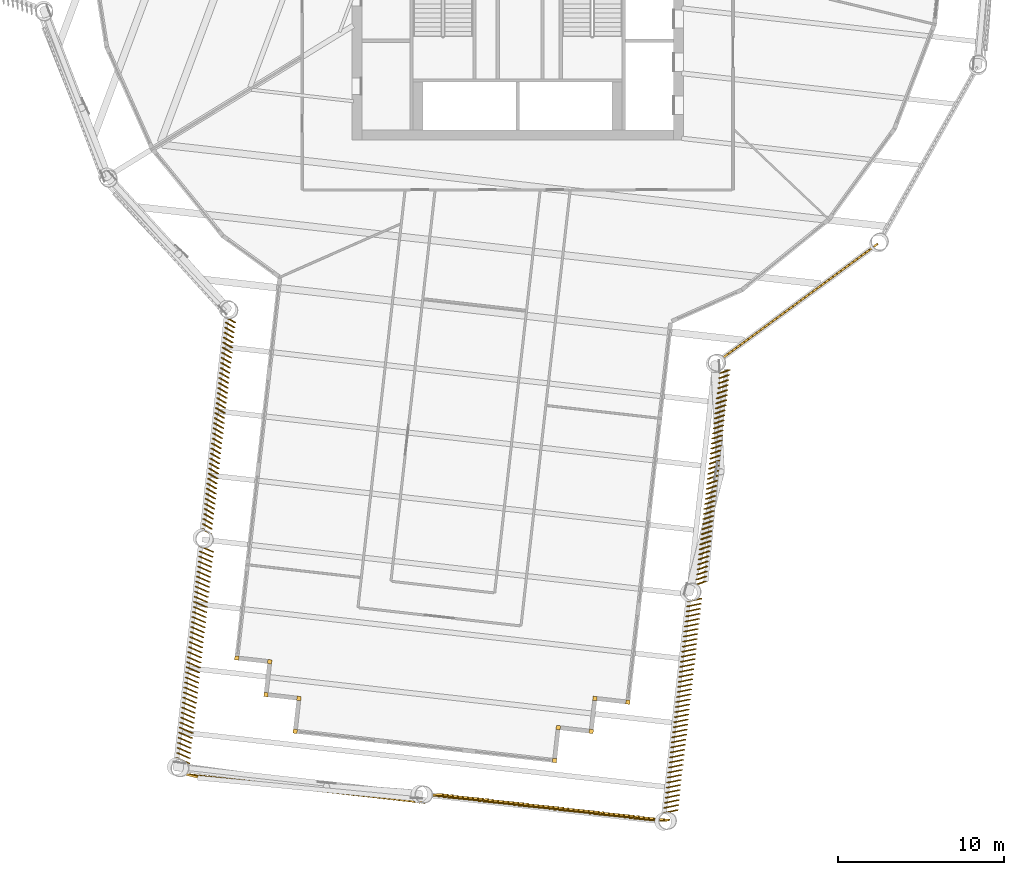
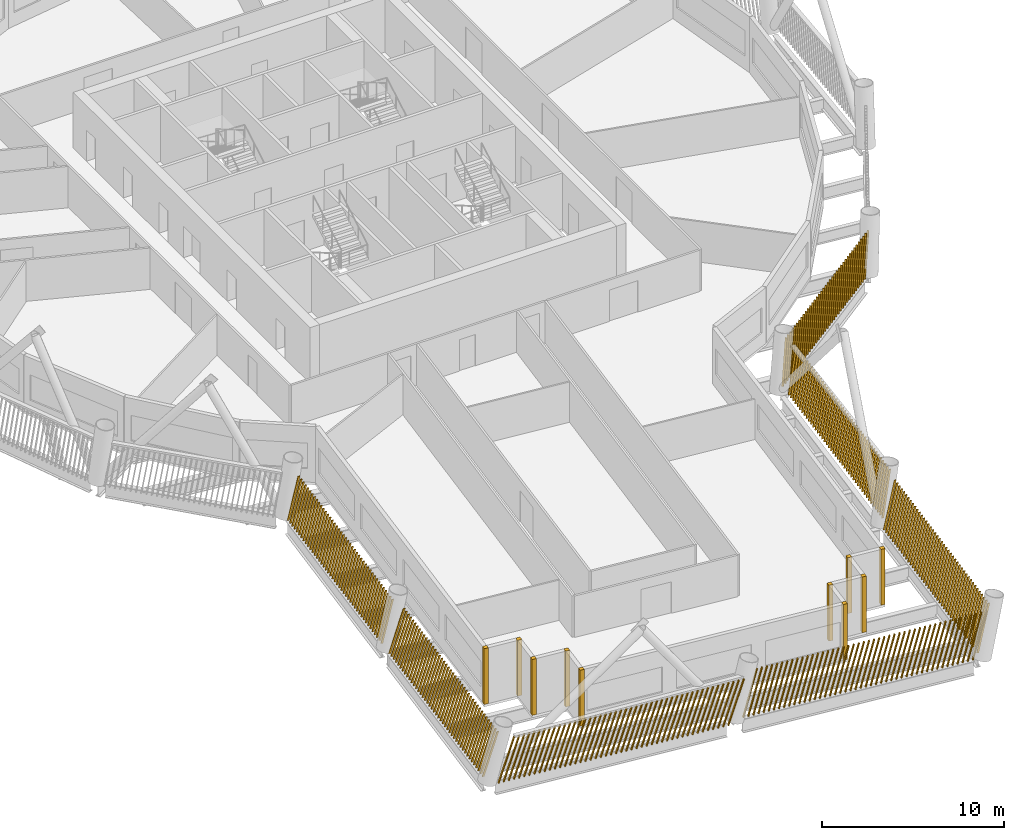
# One storey, part 18 of 22: 17 shading devices.
"""IFC4 building model written with IfcOpenShell, lengths in metres."""

from ifc_helpers import new_model, si_unit, direction, frame, frame_2d, origin, origin_2d, place, context, subcontext, project, spatial, rectangle, composite_profile, extrude, material, type_object, element, save


model = new_model("IFC4")

# Units and contexts
model_context = context("Model", 3, precision=1e-05, world=origin(), true_north=direction((0.0, 1.0)))
body_context = subcontext(model_context, "Body", "Model", "MODEL_VIEW")
ifc_project = project(units=[si_unit("LENGTHUNIT", "METRE"), si_unit("AREAUNIT", "SQUARE_METRE"), si_unit("VOLUMEUNIT", "CUBIC_METRE"), si_unit("PLANEANGLEUNIT", "RADIAN"), si_unit("MASSUNIT", "GRAM", prefix="KILO")], contexts=[model_context])

# Site, building, storey
site_placement = place(None, origin())
site = spatial("IfcSite", under=ifc_project, at=site_placement, CompositionType="ELEMENT")
building_placement = place(site_placement, origin())
building = spatial("IfcBuilding", under=site, at=building_placement, Name="Tarsis Ring Headquarters", CompositionType="ELEMENT")
storey_placement = place(building_placement, frame((0.0, 0.0, 200.39990234375)))
storey = spatial("IfcBuildingStorey", under=building, at=storey_placement, Name="L46", CompositionType="ELEMENT", Elevation=200.39990234375)

# Shading devices
ifc_material = material(Name="Terracotta baguette", Category="masonry")
shading_device_type_1 = type_object("IfcShadingDeviceType", Name="Terracotta baguette screen", PredefinedType="USERDEFINED", material=ifc_material)
shading_device_1_placement = place(storey_placement, frame((-17.566162109375, -23.674560546875, 0.0), z_axis=(0.0, 0.0, 1.0), x_axis=(-0.11217075386, -0.99367998789, 0.0)))
element("IfcShadingDevice", 1, at=shading_device_1_placement, inside=storey, type_object=shading_device_type_1, Name="Baguette screen L46-01", ObjectType="Terracotta baguette screen", PredefinedType="USERDEFINED", context=body_context, shape_type="SweptSolid", body=[
    extrude(composite_profile([rectangle(XDim=0.06005859375, YDim=0.1201171875, at=frame_2d((0.030029296875, 0.0))), rectangle(XDim=0.06005859375, YDim=0.1201171875, at=frame_2d((0.335693359375, 0.0))), rectangle(XDim=0.06005859375, YDim=0.1201171875, at=frame_2d((0.6416015625, 0.0))), rectangle(XDim=0.06005859375, YDim=0.1201171875, at=frame_2d((0.947265625, 0.0))), rectangle(XDim=0.06005859375, YDim=0.1201171875, at=frame_2d((1.253173828125, 0.0))), rectangle(XDim=0.06005859375, YDim=0.1201171875, at=frame_2d((1.558837890625, 0.0))), rectangle(XDim=0.06005859375, YDim=0.1201171875, at=frame_2d((1.864501953125, 0.0))), rectangle(XDim=0.06005859375, YDim=0.1201171875, at=frame_2d((2.17041015625, 0.0))), rectangle(XDim=0.06005859375, YDim=0.1201171875, at=frame_2d((2.47607421875, 0.0))), rectangle(XDim=0.06005859375, YDim=0.1201171875, at=frame_2d((2.781982421875, 0.0))), rectangle(XDim=0.06005859375, YDim=0.1201171875, at=frame_2d((3.087646484375, 0.0))), rectangle(XDim=0.06005859375, YDim=0.1201171875, at=frame_2d((3.393310546875, 0.0))), rectangle(XDim=0.06005859375, YDim=0.1201171875, at=frame_2d((3.69921875, 0.0))), rectangle(XDim=0.06005859375, YDim=0.1201171875, at=frame_2d((4.0048828125, 0.0))), rectangle(XDim=0.06005859375, YDim=0.1201171875, at=frame_2d((4.310791015625, 0.0))), rectangle(XDim=0.06005859375, YDim=0.1201171875, at=frame_2d((4.616455078125, 0.0))), rectangle(XDim=0.06005859375, YDim=0.1201171875, at=frame_2d((4.922119140625, 0.0))), rectangle(XDim=0.06005859375, YDim=0.1201171875, at=frame_2d((5.22802734375, 0.0))), rectangle(XDim=0.06005859375, YDim=0.1201171875, at=frame_2d((5.53369140625, 0.0))), rectangle(XDim=0.06005859375, YDim=0.1201171875, at=frame_2d((5.839599609375, 0.0))), rectangle(XDim=0.06005859375, YDim=0.1201171875, at=frame_2d((6.145263671875, 0.0))), rectangle(XDim=0.06005859375, YDim=0.1201171875, at=frame_2d((6.451171875, 0.0))), rectangle(XDim=0.06005859375, YDim=0.1201171875, at=frame_2d((6.7568359375, 0.0))), rectangle(XDim=0.06005859375, YDim=0.1201171875, at=frame_2d((7.0625, 0.0))), rectangle(XDim=0.06005859375, YDim=0.1201171875, at=frame_2d((7.368408203125, 0.0))), rectangle(XDim=0.06005859375, YDim=0.1201171875, at=frame_2d((7.674072265625, 0.0))), rectangle(XDim=0.06005859375, YDim=0.1201171875, at=frame_2d((7.97998046875, 0.0))), rectangle(XDim=0.06005859375, YDim=0.1201171875, at=frame_2d((8.28564453125, 0.0))), rectangle(XDim=0.06005859375, YDim=0.1201171875, at=frame_2d((8.59130859375, 0.0))), rectangle(XDim=0.06005859375, YDim=0.1201171875, at=frame_2d((8.897216796875, 0.0))), rectangle(XDim=0.06005859375, YDim=0.1201171875, at=frame_2d((9.202880859375, 0.0))), rectangle(XDim=0.06005859375, YDim=0.1201171875, at=frame_2d((9.5087890625, 0.0))), rectangle(XDim=0.06005859375, YDim=0.1201171875, at=frame_2d((9.814453125, 0.0))), rectangle(XDim=0.06005859375, YDim=0.1201171875, at=frame_2d((10.1201171875, 0.0))), rectangle(XDim=0.06005859375, YDim=0.1201171875, at=frame_2d((10.426025390625, 0.0))), rectangle(XDim=0.06005859375, YDim=0.1201171875, at=frame_2d((10.731689453125, 0.0))), rectangle(XDim=0.06005859375, YDim=0.1201171875, at=frame_2d((11.03759765625, 0.0))), rectangle(XDim=0.06005859375, YDim=0.1201171875, at=frame_2d((11.34326171875, 0.0))), rectangle(XDim=0.06005859375, YDim=0.1201171875, at=frame_2d((11.64892578125, 0.0))), rectangle(XDim=0.06005859375, YDim=0.1201171875, at=frame_2d((11.954833984375, 0.0))), rectangle(XDim=0.06005859375, YDim=0.1201171875, at=frame_2d((12.260498046875, 0.0))), rectangle(XDim=0.06005859375, YDim=0.1201171875, at=frame_2d((12.56640625, 0.0))), rectangle(XDim=0.06005859375, YDim=0.1201171875, at=frame_2d((12.8720703125, 0.0)))]), origin(), (0.08092605206, 0.178595140488, 0.980588981119), 3.008544921875),
])
shading_device_2_placement = place(storey_placement, frame((-19.12548828125, -37.4892578125, 0.0), z_axis=(0.0, 0.0, 1.0), x_axis=(-0.11217075386, -0.99367998789, 0.0)))
element("IfcShadingDevice", 2, at=shading_device_2_placement, inside=storey, type_object=shading_device_type_1, Name="Baguette screen L46-02", ObjectType="Terracotta baguette screen", PredefinedType="USERDEFINED", context=body_context, shape_type="SweptSolid", body=[
    extrude(composite_profile([rectangle(XDim=0.06005859375, YDim=0.1201171875, at=frame_2d((0.030029296875, 0.0))), rectangle(XDim=0.06005859375, YDim=0.1201171875, at=frame_2d((0.335693359375, 0.0))), rectangle(XDim=0.06005859375, YDim=0.1201171875, at=frame_2d((0.6416015625, 0.0))), rectangle(XDim=0.06005859375, YDim=0.1201171875, at=frame_2d((0.947265625, 0.0))), rectangle(XDim=0.06005859375, YDim=0.1201171875, at=frame_2d((1.253173828125, 0.0))), rectangle(XDim=0.06005859375, YDim=0.1201171875, at=frame_2d((1.558837890625, 0.0))), rectangle(XDim=0.06005859375, YDim=0.1201171875, at=frame_2d((1.864501953125, 0.0))), rectangle(XDim=0.06005859375, YDim=0.1201171875, at=frame_2d((2.17041015625, 0.0))), rectangle(XDim=0.06005859375, YDim=0.1201171875, at=frame_2d((2.47607421875, 0.0))), rectangle(XDim=0.06005859375, YDim=0.1201171875, at=frame_2d((2.781982421875, 0.0))), rectangle(XDim=0.06005859375, YDim=0.1201171875, at=frame_2d((3.087646484375, 0.0))), rectangle(XDim=0.06005859375, YDim=0.1201171875, at=frame_2d((3.393310546875, 0.0))), rectangle(XDim=0.06005859375, YDim=0.1201171875, at=frame_2d((3.69921875, 0.0))), rectangle(XDim=0.06005859375, YDim=0.1201171875, at=frame_2d((4.0048828125, 0.0))), rectangle(XDim=0.06005859375, YDim=0.1201171875, at=frame_2d((4.310791015625, 0.0))), rectangle(XDim=0.06005859375, YDim=0.1201171875, at=frame_2d((4.616455078125, 0.0))), rectangle(XDim=0.06005859375, YDim=0.1201171875, at=frame_2d((4.922119140625, 0.0))), rectangle(XDim=0.06005859375, YDim=0.1201171875, at=frame_2d((5.22802734375, 0.0))), rectangle(XDim=0.06005859375, YDim=0.1201171875, at=frame_2d((5.53369140625, 0.0))), rectangle(XDim=0.06005859375, YDim=0.1201171875, at=frame_2d((5.839599609375, 0.0))), rectangle(XDim=0.06005859375, YDim=0.1201171875, at=frame_2d((6.145263671875, 0.0))), rectangle(XDim=0.06005859375, YDim=0.1201171875, at=frame_2d((6.451171875, 0.0))), rectangle(XDim=0.06005859375, YDim=0.1201171875, at=frame_2d((6.7568359375, 0.0))), rectangle(XDim=0.06005859375, YDim=0.1201171875, at=frame_2d((7.0625, 0.0))), rectangle(XDim=0.06005859375, YDim=0.1201171875, at=frame_2d((7.368408203125, 0.0))), rectangle(XDim=0.06005859375, YDim=0.1201171875, at=frame_2d((7.674072265625, 0.0))), rectangle(XDim=0.06005859375, YDim=0.1201171875, at=frame_2d((7.97998046875, 0.0))), rectangle(XDim=0.06005859375, YDim=0.1201171875, at=frame_2d((8.28564453125, 0.0))), rectangle(XDim=0.06005859375, YDim=0.1201171875, at=frame_2d((8.59130859375, 0.0))), rectangle(XDim=0.06005859375, YDim=0.1201171875, at=frame_2d((8.897216796875, 0.0))), rectangle(XDim=0.06005859375, YDim=0.1201171875, at=frame_2d((9.202880859375, 0.0))), rectangle(XDim=0.06005859375, YDim=0.1201171875, at=frame_2d((9.5087890625, 0.0))), rectangle(XDim=0.06005859375, YDim=0.1201171875, at=frame_2d((9.814453125, 0.0))), rectangle(XDim=0.06005859375, YDim=0.1201171875, at=frame_2d((10.1201171875, 0.0))), rectangle(XDim=0.06005859375, YDim=0.1201171875, at=frame_2d((10.426025390625, 0.0))), rectangle(XDim=0.06005859375, YDim=0.1201171875, at=frame_2d((10.731689453125, 0.0))), rectangle(XDim=0.06005859375, YDim=0.1201171875, at=frame_2d((11.03759765625, 0.0))), rectangle(XDim=0.06005859375, YDim=0.1201171875, at=frame_2d((11.34326171875, 0.0))), rectangle(XDim=0.06005859375, YDim=0.1201171875, at=frame_2d((11.64892578125, 0.0))), rectangle(XDim=0.06005859375, YDim=0.1201171875, at=frame_2d((11.954833984375, 0.0))), rectangle(XDim=0.06005859375, YDim=0.1201171875, at=frame_2d((12.260498046875, 0.0))), rectangle(XDim=0.06005859375, YDim=0.1201171875, at=frame_2d((12.56640625, 0.0))), rectangle(XDim=0.06005859375, YDim=0.1201171875, at=frame_2d((12.8720703125, 0.0)))]), origin(), (0.078963312805, 0.251825063151, 0.964545972362), 3.05859375),
])
shading_device_3_placement = place(storey_placement, frame((-20.174072265625, -51.235595703125, 0.0), z_axis=(0.0, 0.0, 1.0), x_axis=(0.993684210526, -0.112162759841, 0.0)))
element("IfcShadingDevice", 3, at=shading_device_3_placement, inside=storey, type_object=shading_device_type_1, Name="Baguette screen L46-03", ObjectType="Terracotta baguette screen", PredefinedType="USERDEFINED", context=body_context, shape_type="SweptSolid", body=[
    extrude(composite_profile([rectangle(XDim=0.06005859375, YDim=0.1201171875, at=frame_2d((0.030029296875, 0.0))), rectangle(XDim=0.06005859375, YDim=0.1201171875, at=frame_2d((0.33544921875, 0.0))), rectangle(XDim=0.06005859375, YDim=0.1201171875, at=frame_2d((0.640625, 0.0))), rectangle(XDim=0.06005859375, YDim=0.1201171875, at=frame_2d((0.946044921875, 0.0))), rectangle(XDim=0.06005859375, YDim=0.1201171875, at=frame_2d((1.25146484375, 0.0))), rectangle(XDim=0.06005859375, YDim=0.1201171875, at=frame_2d((1.556640625, 0.0))), rectangle(XDim=0.06005859375, YDim=0.1201171875, at=frame_2d((1.862060546875, 0.0))), rectangle(XDim=0.06005859375, YDim=0.1201171875, at=frame_2d((2.16748046875, 0.0))), rectangle(XDim=0.06005859375, YDim=0.1201171875, at=frame_2d((2.47265625, 0.0))), rectangle(XDim=0.06005859375, YDim=0.1201171875, at=frame_2d((2.778076171875, 0.0))), rectangle(XDim=0.06005859375, YDim=0.1201171875, at=frame_2d((3.08349609375, 0.0))), rectangle(XDim=0.06005859375, YDim=0.1201171875, at=frame_2d((3.388671875, 0.0))), rectangle(XDim=0.06005859375, YDim=0.1201171875, at=frame_2d((3.694091796875, 0.0))), rectangle(XDim=0.06005859375, YDim=0.1201171875, at=frame_2d((3.99951171875, 0.0))), rectangle(XDim=0.06005859375, YDim=0.1201171875, at=frame_2d((4.3046875, 0.0))), rectangle(XDim=0.06005859375, YDim=0.1201171875, at=frame_2d((4.610107421875, 0.0))), rectangle(XDim=0.06005859375, YDim=0.1201171875, at=frame_2d((4.91552734375, 0.0))), rectangle(XDim=0.06005859375, YDim=0.1201171875, at=frame_2d((5.220703125, 0.0))), rectangle(XDim=0.06005859375, YDim=0.1201171875, at=frame_2d((5.526123046875, 0.0))), rectangle(XDim=0.06005859375, YDim=0.1201171875, at=frame_2d((5.83154296875, 0.0))), rectangle(XDim=0.06005859375, YDim=0.1201171875, at=frame_2d((6.13671875, 0.0))), rectangle(XDim=0.06005859375, YDim=0.1201171875, at=frame_2d((6.442138671875, 0.0))), rectangle(XDim=0.06005859375, YDim=0.1201171875, at=frame_2d((6.74755859375, 0.0))), rectangle(XDim=0.06005859375, YDim=0.1201171875, at=frame_2d((7.052734375, 0.0))), rectangle(XDim=0.06005859375, YDim=0.1201171875, at=frame_2d((7.358154296875, 0.0))), rectangle(XDim=0.06005859375, YDim=0.1201171875, at=frame_2d((7.66357421875, 0.0))), rectangle(XDim=0.06005859375, YDim=0.1201171875, at=frame_2d((7.96875, 0.0))), rectangle(XDim=0.06005859375, YDim=0.1201171875, at=frame_2d((8.274169921875, 0.0))), rectangle(XDim=0.06005859375, YDim=0.1201171875, at=frame_2d((8.57958984375, 0.0))), rectangle(XDim=0.06005859375, YDim=0.1201171875, at=frame_2d((8.884765625, 0.0))), rectangle(XDim=0.06005859375, YDim=0.1201171875, at=frame_2d((9.190185546875, 0.0))), rectangle(XDim=0.06005859375, YDim=0.1201171875, at=frame_2d((9.49560546875, 0.0))), rectangle(XDim=0.06005859375, YDim=0.1201171875, at=frame_2d((9.80078125, 0.0))), rectangle(XDim=0.06005859375, YDim=0.1201171875, at=frame_2d((10.106201171875, 0.0))), rectangle(XDim=0.06005859375, YDim=0.1201171875, at=frame_2d((10.41162109375, 0.0))), rectangle(XDim=0.06005859375, YDim=0.1201171875, at=frame_2d((10.716796875, 0.0))), rectangle(XDim=0.06005859375, YDim=0.1201171875, at=frame_2d((11.022216796875, 0.0))), rectangle(XDim=0.06005859375, YDim=0.1201171875, at=frame_2d((11.32763671875, 0.0))), rectangle(XDim=0.06005859375, YDim=0.1201171875, at=frame_2d((11.6328125, 0.0))), rectangle(XDim=0.06005859375, YDim=0.1201171875, at=frame_2d((11.938232421875, 0.0))), rectangle(XDim=0.06005859375, YDim=0.1201171875, at=frame_2d((12.24365234375, 0.0))), rectangle(XDim=0.06005859375, YDim=0.1201171875, at=frame_2d((12.548828125, 0.0))), rectangle(XDim=0.06005859375, YDim=0.1201171875, at=frame_2d((12.854248046875, 0.0))), rectangle(XDim=0.06005859375, YDim=0.1201171875, at=frame_2d((13.15966796875, 0.0))), rectangle(XDim=0.06005859375, YDim=0.1201171875, at=frame_2d((13.46484375, 0.0))), rectangle(XDim=0.06005859375, YDim=0.1201171875, at=frame_2d((13.770263671875, 0.0)))]), origin(), (0.289191226857, -0.037777729189, 0.956525628243), 3.084228515625),
])
shading_device_4_placement = place(storey_placement, frame((-5.42529296875, -52.52294921875, 0.0), z_axis=(0.0, 0.0, 1.0), x_axis=(0.993684210526, -0.112162759841, 0.0)))
element("IfcShadingDevice", 4, at=shading_device_4_placement, inside=storey, type_object=shading_device_type_1, Name="Baguette screen L46-04", ObjectType="Terracotta baguette screen", PredefinedType="USERDEFINED", context=body_context, shape_type="SweptSolid", body=[
    extrude(composite_profile([rectangle(XDim=0.06005859375, YDim=0.1201171875, at=frame_2d((0.030029296875, 0.0))), rectangle(XDim=0.06005859375, YDim=0.1201171875, at=frame_2d((0.33544921875, 0.0))), rectangle(XDim=0.06005859375, YDim=0.1201171875, at=frame_2d((0.640625, 0.0))), rectangle(XDim=0.06005859375, YDim=0.1201171875, at=frame_2d((0.946044921875, 0.0))), rectangle(XDim=0.06005859375, YDim=0.1201171875, at=frame_2d((1.25146484375, 0.0))), rectangle(XDim=0.06005859375, YDim=0.1201171875, at=frame_2d((1.556640625, 0.0))), rectangle(XDim=0.06005859375, YDim=0.1201171875, at=frame_2d((1.862060546875, 0.0))), rectangle(XDim=0.06005859375, YDim=0.1201171875, at=frame_2d((2.16748046875, 0.0))), rectangle(XDim=0.06005859375, YDim=0.1201171875, at=frame_2d((2.47265625, 0.0))), rectangle(XDim=0.06005859375, YDim=0.1201171875, at=frame_2d((2.778076171875, 0.0))), rectangle(XDim=0.06005859375, YDim=0.1201171875, at=frame_2d((3.08349609375, 0.0))), rectangle(XDim=0.06005859375, YDim=0.1201171875, at=frame_2d((3.388671875, 0.0))), rectangle(XDim=0.06005859375, YDim=0.1201171875, at=frame_2d((3.694091796875, 0.0))), rectangle(XDim=0.06005859375, YDim=0.1201171875, at=frame_2d((3.99951171875, 0.0))), rectangle(XDim=0.06005859375, YDim=0.1201171875, at=frame_2d((4.3046875, 0.0))), rectangle(XDim=0.06005859375, YDim=0.1201171875, at=frame_2d((4.610107421875, 0.0))), rectangle(XDim=0.06005859375, YDim=0.1201171875, at=frame_2d((4.91552734375, 0.0))), rectangle(XDim=0.06005859375, YDim=0.1201171875, at=frame_2d((5.220703125, 0.0))), rectangle(XDim=0.06005859375, YDim=0.1201171875, at=frame_2d((5.526123046875, 0.0))), rectangle(XDim=0.06005859375, YDim=0.1201171875, at=frame_2d((5.83154296875, 0.0))), rectangle(XDim=0.06005859375, YDim=0.1201171875, at=frame_2d((6.13671875, 0.0))), rectangle(XDim=0.06005859375, YDim=0.1201171875, at=frame_2d((6.442138671875, 0.0))), rectangle(XDim=0.06005859375, YDim=0.1201171875, at=frame_2d((6.74755859375, 0.0))), rectangle(XDim=0.06005859375, YDim=0.1201171875, at=frame_2d((7.052734375, 0.0))), rectangle(XDim=0.06005859375, YDim=0.1201171875, at=frame_2d((7.358154296875, 0.0))), rectangle(XDim=0.06005859375, YDim=0.1201171875, at=frame_2d((7.66357421875, 0.0))), rectangle(XDim=0.06005859375, YDim=0.1201171875, at=frame_2d((7.96875, 0.0))), rectangle(XDim=0.06005859375, YDim=0.1201171875, at=frame_2d((8.274169921875, 0.0))), rectangle(XDim=0.06005859375, YDim=0.1201171875, at=frame_2d((8.57958984375, 0.0))), rectangle(XDim=0.06005859375, YDim=0.1201171875, at=frame_2d((8.884765625, 0.0))), rectangle(XDim=0.06005859375, YDim=0.1201171875, at=frame_2d((9.190185546875, 0.0))), rectangle(XDim=0.06005859375, YDim=0.1201171875, at=frame_2d((9.49560546875, 0.0))), rectangle(XDim=0.06005859375, YDim=0.1201171875, at=frame_2d((9.80078125, 0.0))), rectangle(XDim=0.06005859375, YDim=0.1201171875, at=frame_2d((10.106201171875, 0.0))), rectangle(XDim=0.06005859375, YDim=0.1201171875, at=frame_2d((10.41162109375, 0.0))), rectangle(XDim=0.06005859375, YDim=0.1201171875, at=frame_2d((10.716796875, 0.0))), rectangle(XDim=0.06005859375, YDim=0.1201171875, at=frame_2d((11.022216796875, 0.0))), rectangle(XDim=0.06005859375, YDim=0.1201171875, at=frame_2d((11.32763671875, 0.0))), rectangle(XDim=0.06005859375, YDim=0.1201171875, at=frame_2d((11.6328125, 0.0))), rectangle(XDim=0.06005859375, YDim=0.1201171875, at=frame_2d((11.938232421875, 0.0))), rectangle(XDim=0.06005859375, YDim=0.1201171875, at=frame_2d((12.24365234375, 0.0))), rectangle(XDim=0.06005859375, YDim=0.1201171875, at=frame_2d((12.548828125, 0.0))), rectangle(XDim=0.06005859375, YDim=0.1201171875, at=frame_2d((12.854248046875, 0.0))), rectangle(XDim=0.06005859375, YDim=0.1201171875, at=frame_2d((13.15966796875, 0.0))), rectangle(XDim=0.06005859375, YDim=0.1201171875, at=frame_2d((13.46484375, 0.0))), rectangle(XDim=0.06005859375, YDim=0.1201171875, at=frame_2d((13.770263671875, 0.0)))]), origin(), (0.286648739566, 0.042625855916, 0.957087005717), 3.08251953125),
])
shading_device_5_placement = place(storey_placement, frame((8.840576171875, -53.6298828125, 0.0), z_axis=(0.0, 0.0, 1.0), x_axis=(0.112153953867, 0.993698790849, 0.0)))
element("IfcShadingDevice", 5, at=shading_device_5_placement, inside=storey, type_object=shading_device_type_1, Name="Baguette screen L46-05", ObjectType="Terracotta baguette screen", PredefinedType="USERDEFINED", context=body_context, shape_type="SweptSolid", body=[
    extrude(composite_profile([rectangle(XDim=0.06005859375, YDim=0.1201171875, at=frame_2d((0.030029296875, 0.0))), rectangle(XDim=0.06005859375, YDim=0.1201171875, at=frame_2d((0.335693359375, 0.0))), rectangle(XDim=0.06005859375, YDim=0.1201171875, at=frame_2d((0.6416015625, 0.0))), rectangle(XDim=0.06005859375, YDim=0.1201171875, at=frame_2d((0.947265625, 0.0))), rectangle(XDim=0.06005859375, YDim=0.1201171875, at=frame_2d((1.253173828125, 0.0))), rectangle(XDim=0.06005859375, YDim=0.1201171875, at=frame_2d((1.558837890625, 0.0))), rectangle(XDim=0.06005859375, YDim=0.1201171875, at=frame_2d((1.864501953125, 0.0))), rectangle(XDim=0.06005859375, YDim=0.1201171875, at=frame_2d((2.17041015625, 0.0))), rectangle(XDim=0.06005859375, YDim=0.1201171875, at=frame_2d((2.47607421875, 0.0))), rectangle(XDim=0.06005859375, YDim=0.1201171875, at=frame_2d((2.781982421875, 0.0))), rectangle(XDim=0.06005859375, YDim=0.1201171875, at=frame_2d((3.087646484375, 0.0))), rectangle(XDim=0.06005859375, YDim=0.1201171875, at=frame_2d((3.393310546875, 0.0))), rectangle(XDim=0.06005859375, YDim=0.1201171875, at=frame_2d((3.69921875, 0.0))), rectangle(XDim=0.06005859375, YDim=0.1201171875, at=frame_2d((4.0048828125, 0.0))), rectangle(XDim=0.06005859375, YDim=0.1201171875, at=frame_2d((4.310791015625, 0.0))), rectangle(XDim=0.06005859375, YDim=0.1201171875, at=frame_2d((4.616455078125, 0.0))), rectangle(XDim=0.06005859375, YDim=0.1201171875, at=frame_2d((4.922119140625, 0.0))), rectangle(XDim=0.06005859375, YDim=0.1201171875, at=frame_2d((5.22802734375, 0.0))), rectangle(XDim=0.06005859375, YDim=0.1201171875, at=frame_2d((5.53369140625, 0.0))), rectangle(XDim=0.06005859375, YDim=0.1201171875, at=frame_2d((5.839599609375, 0.0))), rectangle(XDim=0.06005859375, YDim=0.1201171875, at=frame_2d((6.145263671875, 0.0))), rectangle(XDim=0.06005859375, YDim=0.1201171875, at=frame_2d((6.451171875, 0.0))), rectangle(XDim=0.06005859375, YDim=0.1201171875, at=frame_2d((6.7568359375, 0.0))), rectangle(XDim=0.06005859375, YDim=0.1201171875, at=frame_2d((7.0625, 0.0))), rectangle(XDim=0.06005859375, YDim=0.1201171875, at=frame_2d((7.368408203125, 0.0))), rectangle(XDim=0.06005859375, YDim=0.1201171875, at=frame_2d((7.674072265625, 0.0))), rectangle(XDim=0.06005859375, YDim=0.1201171875, at=frame_2d((7.97998046875, 0.0))), rectangle(XDim=0.06005859375, YDim=0.1201171875, at=frame_2d((8.28564453125, 0.0))), rectangle(XDim=0.06005859375, YDim=0.1201171875, at=frame_2d((8.59130859375, 0.0))), rectangle(XDim=0.06005859375, YDim=0.1201171875, at=frame_2d((8.897216796875, 0.0))), rectangle(XDim=0.06005859375, YDim=0.1201171875, at=frame_2d((9.202880859375, 0.0))), rectangle(XDim=0.06005859375, YDim=0.1201171875, at=frame_2d((9.5087890625, 0.0))), rectangle(XDim=0.06005859375, YDim=0.1201171875, at=frame_2d((9.814453125, 0.0))), rectangle(XDim=0.06005859375, YDim=0.1201171875, at=frame_2d((10.1201171875, 0.0))), rectangle(XDim=0.06005859375, YDim=0.1201171875, at=frame_2d((10.426025390625, 0.0))), rectangle(XDim=0.06005859375, YDim=0.1201171875, at=frame_2d((10.731689453125, 0.0))), rectangle(XDim=0.06005859375, YDim=0.1201171875, at=frame_2d((11.03759765625, 0.0))), rectangle(XDim=0.06005859375, YDim=0.1201171875, at=frame_2d((11.34326171875, 0.0))), rectangle(XDim=0.06005859375, YDim=0.1201171875, at=frame_2d((11.64892578125, 0.0))), rectangle(XDim=0.06005859375, YDim=0.1201171875, at=frame_2d((11.954833984375, 0.0))), rectangle(XDim=0.06005859375, YDim=0.1201171875, at=frame_2d((12.260498046875, 0.0))), rectangle(XDim=0.06005859375, YDim=0.1201171875, at=frame_2d((12.56640625, 0.0))), rectangle(XDim=0.06005859375, YDim=0.1201171875, at=frame_2d((12.8720703125, 0.0)))]), origin(), (0.08317285122, -0.250470898493, 0.964544766109), 3.05859375),
])
shading_device_6_placement = place(storey_placement, frame((10.7724609375, -39.857421875, 0.0), z_axis=(0.0, 0.0, 1.0), x_axis=(0.112153953867, 0.993698790849, 0.0)))
element("IfcShadingDevice", 6, at=shading_device_6_placement, inside=storey, type_object=shading_device_type_1, Name="Baguette screen L46-06", ObjectType="Terracotta baguette screen", PredefinedType="USERDEFINED", context=body_context, shape_type="SweptSolid", body=[
    extrude(composite_profile([rectangle(XDim=0.06005859375, YDim=0.1201171875, at=frame_2d((0.030029296875, 0.0))), rectangle(XDim=0.06005859375, YDim=0.1201171875, at=frame_2d((0.335693359375, 0.0))), rectangle(XDim=0.06005859375, YDim=0.1201171875, at=frame_2d((0.6416015625, 0.0))), rectangle(XDim=0.06005859375, YDim=0.1201171875, at=frame_2d((0.947265625, 0.0))), rectangle(XDim=0.06005859375, YDim=0.1201171875, at=frame_2d((1.253173828125, 0.0))), rectangle(XDim=0.06005859375, YDim=0.1201171875, at=frame_2d((1.558837890625, 0.0))), rectangle(XDim=0.06005859375, YDim=0.1201171875, at=frame_2d((1.864501953125, 0.0))), rectangle(XDim=0.06005859375, YDim=0.1201171875, at=frame_2d((2.17041015625, 0.0))), rectangle(XDim=0.06005859375, YDim=0.1201171875, at=frame_2d((2.47607421875, 0.0))), rectangle(XDim=0.06005859375, YDim=0.1201171875, at=frame_2d((2.781982421875, 0.0))), rectangle(XDim=0.06005859375, YDim=0.1201171875, at=frame_2d((3.087646484375, 0.0))), rectangle(XDim=0.06005859375, YDim=0.1201171875, at=frame_2d((3.393310546875, 0.0))), rectangle(XDim=0.06005859375, YDim=0.1201171875, at=frame_2d((3.69921875, 0.0))), rectangle(XDim=0.06005859375, YDim=0.1201171875, at=frame_2d((4.0048828125, 0.0))), rectangle(XDim=0.06005859375, YDim=0.1201171875, at=frame_2d((4.310791015625, 0.0))), rectangle(XDim=0.06005859375, YDim=0.1201171875, at=frame_2d((4.616455078125, 0.0))), rectangle(XDim=0.06005859375, YDim=0.1201171875, at=frame_2d((4.922119140625, 0.0))), rectangle(XDim=0.06005859375, YDim=0.1201171875, at=frame_2d((5.22802734375, 0.0))), rectangle(XDim=0.06005859375, YDim=0.1201171875, at=frame_2d((5.53369140625, 0.0))), rectangle(XDim=0.06005859375, YDim=0.1201171875, at=frame_2d((5.839599609375, 0.0))), rectangle(XDim=0.06005859375, YDim=0.1201171875, at=frame_2d((6.145263671875, 0.0))), rectangle(XDim=0.06005859375, YDim=0.1201171875, at=frame_2d((6.451171875, 0.0))), rectangle(XDim=0.06005859375, YDim=0.1201171875, at=frame_2d((6.7568359375, 0.0))), rectangle(XDim=0.06005859375, YDim=0.1201171875, at=frame_2d((7.0625, 0.0))), rectangle(XDim=0.06005859375, YDim=0.1201171875, at=frame_2d((7.368408203125, 0.0))), rectangle(XDim=0.06005859375, YDim=0.1201171875, at=frame_2d((7.674072265625, 0.0))), rectangle(XDim=0.06005859375, YDim=0.1201171875, at=frame_2d((7.97998046875, 0.0))), rectangle(XDim=0.06005859375, YDim=0.1201171875, at=frame_2d((8.28564453125, 0.0))), rectangle(XDim=0.06005859375, YDim=0.1201171875, at=frame_2d((8.59130859375, 0.0))), rectangle(XDim=0.06005859375, YDim=0.1201171875, at=frame_2d((8.897216796875, 0.0))), rectangle(XDim=0.06005859375, YDim=0.1201171875, at=frame_2d((9.202880859375, 0.0))), rectangle(XDim=0.06005859375, YDim=0.1201171875, at=frame_2d((9.5087890625, 0.0))), rectangle(XDim=0.06005859375, YDim=0.1201171875, at=frame_2d((9.814453125, 0.0))), rectangle(XDim=0.06005859375, YDim=0.1201171875, at=frame_2d((10.1201171875, 0.0))), rectangle(XDim=0.06005859375, YDim=0.1201171875, at=frame_2d((10.426025390625, 0.0))), rectangle(XDim=0.06005859375, YDim=0.1201171875, at=frame_2d((10.731689453125, 0.0))), rectangle(XDim=0.06005859375, YDim=0.1201171875, at=frame_2d((11.03759765625, 0.0))), rectangle(XDim=0.06005859375, YDim=0.1201171875, at=frame_2d((11.34326171875, 0.0))), rectangle(XDim=0.06005859375, YDim=0.1201171875, at=frame_2d((11.64892578125, 0.0))), rectangle(XDim=0.06005859375, YDim=0.1201171875, at=frame_2d((11.954833984375, 0.0))), rectangle(XDim=0.06005859375, YDim=0.1201171875, at=frame_2d((12.260498046875, 0.0))), rectangle(XDim=0.06005859375, YDim=0.1201171875, at=frame_2d((12.56640625, 0.0))), rectangle(XDim=0.06005859375, YDim=0.1201171875, at=frame_2d((12.8720703125, 0.0)))]), origin(), (0.085981647706, -0.177168856478, 0.980417437907), 3.009033203125),
])
shading_device_7_placement = place(storey_placement, frame((12.3056640625, -26.201416015625, 0.0), z_axis=(0.0, 0.0, 1.0), x_axis=(0.805295713511, 0.592881172002, 0.0)))
element("IfcShadingDevice", 7, at=shading_device_7_placement, inside=storey, type_object=shading_device_type_1, Name="Baguette screen L46-07", ObjectType="Terracotta baguette screen", PredefinedType="USERDEFINED", context=body_context, shape_type="SweptSolid", body=[
    extrude(composite_profile([rectangle(XDim=0.06005859375, YDim=0.1201171875, at=frame_2d((0.030029296875, 0.0))), rectangle(XDim=0.06005859375, YDim=0.1201171875, at=frame_2d((0.33251953125, 0.0))), rectangle(XDim=0.06005859375, YDim=0.1201171875, at=frame_2d((0.634765625, 0.0))), rectangle(XDim=0.06005859375, YDim=0.1201171875, at=frame_2d((0.937255859375, 0.0))), rectangle(XDim=0.06005859375, YDim=0.1201171875, at=frame_2d((1.239501953125, 0.0))), rectangle(XDim=0.06005859375, YDim=0.1201171875, at=frame_2d((1.5419921875, 0.0))), rectangle(XDim=0.06005859375, YDim=0.1201171875, at=frame_2d((1.844482421875, 0.0))), rectangle(XDim=0.06005859375, YDim=0.1201171875, at=frame_2d((2.146728515625, 0.0))), rectangle(XDim=0.06005859375, YDim=0.1201171875, at=frame_2d((2.44921875, 0.0))), rectangle(XDim=0.06005859375, YDim=0.1201171875, at=frame_2d((2.751708984375, 0.0))), rectangle(XDim=0.06005859375, YDim=0.1201171875, at=frame_2d((3.053955078125, 0.0))), rectangle(XDim=0.06005859375, YDim=0.1201171875, at=frame_2d((3.3564453125, 0.0))), rectangle(XDim=0.06005859375, YDim=0.1201171875, at=frame_2d((3.65869140625, 0.0))), rectangle(XDim=0.06005859375, YDim=0.1201171875, at=frame_2d((3.961181640625, 0.0))), rectangle(XDim=0.06005859375, YDim=0.1201171875, at=frame_2d((4.263671875, 0.0))), rectangle(XDim=0.06005859375, YDim=0.1201171875, at=frame_2d((4.56591796875, 0.0))), rectangle(XDim=0.06005859375, YDim=0.1201171875, at=frame_2d((4.868408203125, 0.0))), rectangle(XDim=0.06005859375, YDim=0.1201171875, at=frame_2d((5.1708984375, 0.0))), rectangle(XDim=0.06005859375, YDim=0.1201171875, at=frame_2d((5.47314453125, 0.0))), rectangle(XDim=0.06005859375, YDim=0.1201171875, at=frame_2d((5.775634765625, 0.0))), rectangle(XDim=0.06005859375, YDim=0.1201171875, at=frame_2d((6.077880859375, 0.0))), rectangle(XDim=0.06005859375, YDim=0.1201171875, at=frame_2d((6.38037109375, 0.0))), rectangle(XDim=0.06005859375, YDim=0.1201171875, at=frame_2d((6.682861328125, 0.0))), rectangle(XDim=0.06005859375, YDim=0.1201171875, at=frame_2d((6.985107421875, 0.0))), rectangle(XDim=0.06005859375, YDim=0.1201171875, at=frame_2d((7.28759765625, 0.0))), rectangle(XDim=0.06005859375, YDim=0.1201171875, at=frame_2d((7.590087890625, 0.0))), rectangle(XDim=0.06005859375, YDim=0.1201171875, at=frame_2d((7.892333984375, 0.0))), rectangle(XDim=0.06005859375, YDim=0.1201171875, at=frame_2d((8.19482421875, 0.0))), rectangle(XDim=0.06005859375, YDim=0.1201171875, at=frame_2d((8.4970703125, 0.0))), rectangle(XDim=0.06005859375, YDim=0.1201171875, at=frame_2d((8.799560546875, 0.0))), rectangle(XDim=0.06005859375, YDim=0.1201171875, at=frame_2d((9.10205078125, 0.0))), rectangle(XDim=0.06005859375, YDim=0.1201171875, at=frame_2d((9.404296875, 0.0))), rectangle(XDim=0.06005859375, YDim=0.1201171875, at=frame_2d((9.706787109375, 0.0))), rectangle(XDim=0.06005859375, YDim=0.1201171875, at=frame_2d((10.00927734375, 0.0))), rectangle(XDim=0.06005859375, YDim=0.1201171875, at=frame_2d((10.3115234375, 0.0))), rectangle(XDim=0.06005859375, YDim=0.1201171875, at=frame_2d((10.614013671875, 0.0))), rectangle(XDim=0.06005859375, YDim=0.1201171875, at=frame_2d((10.916259765625, 0.0))), rectangle(XDim=0.06005859375, YDim=0.1201171875, at=frame_2d((11.21875, 0.0)))]), origin(), (0.159204389397, 0.001333075218, 0.987244744381), 2.98828125),
])
shading_device_type_2 = type_object("IfcShadingDeviceType", Name="Terracotta corner baguette 250x250", PredefinedType="USERDEFINED", material=ifc_material)
for number, where, z_axis, x_axis, name in (
    (8, (-16.945556640625, -44.253662109375, 0.0), (0.0, 0.0, 1.0), (-0.11216266853, -0.993689858954, 0.0), "Corner baguette L46-07"),
    (9, (-14.958251953125, -44.47802734375, 0.0), (0.0, 0.0, 1.0), (0.993689880488, -0.112162477755, 0.0), "Corner baguette L46-08"),
    (10, (-15.182373046875, -46.46533203125, 0.0), (0.0, 0.0, 1.0), (-0.112162477755, -0.993689880488, 0.0), "Corner baguette L46-09"),
    (11, (-13.195068359375, -46.689697265625, 0.0), (0.0, 0.0, 1.0), (0.993689872657, -0.112162547128, 0.0), "Corner baguette L46-10"),
    (12, (-13.41943359375, -48.677001953125, 0.0), (0.0, 0.0, 1.0), (-0.112162425726, -0.993689886361, 0.0), "Corner baguette L46-11"),
    (13, (2.231201171875, -50.443603515625, 0.0), (0.0, 0.0, 1.0), (0.993689862869, -0.112162633844, 0.0), "Corner baguette L46-12"),
    (14, (2.45556640625, -48.456298828125, 0.0), (0.0, 0.0, 1.0), (0.112163032736, 0.993689817844, 0.0), "Corner baguette L46-13"),
    (15, (4.44287109375, -48.680419921875, 0.0), (0.0, 0.0, 1.0), (0.993689880488, -0.112162477755, 0.0), "Corner baguette L46-14"),
    (16, (4.667236328125, -46.693115234375, 0.0), (0.0, 0.0, 1.0), (0.112162477755, 0.993689880488, 0.0), "Corner baguette L46-15"),
    (17, (6.654541015625, -46.91748046875, 0.0), (0.0, 0.0, 1.0), (0.993689872657, -0.112162547128, 0.0), "Corner baguette L46-16"),
):
    element("IfcShadingDevice", number, at=place(storey_placement, frame(where, z_axis=z_axis, x_axis=x_axis)), inside=storey, type_object=shading_device_type_2, Name=name, ObjectType="Terracotta corner baguette", PredefinedType="USERDEFINED", context=body_context, shape_type="SweptSolid", body=[
        extrude(rectangle(XDim=0.25, YDim=0.25, at=origin_2d()), origin(), (0.0, 0.0, 1.0), 3.739990234375),
    ])

save(model, "model.ifc")
